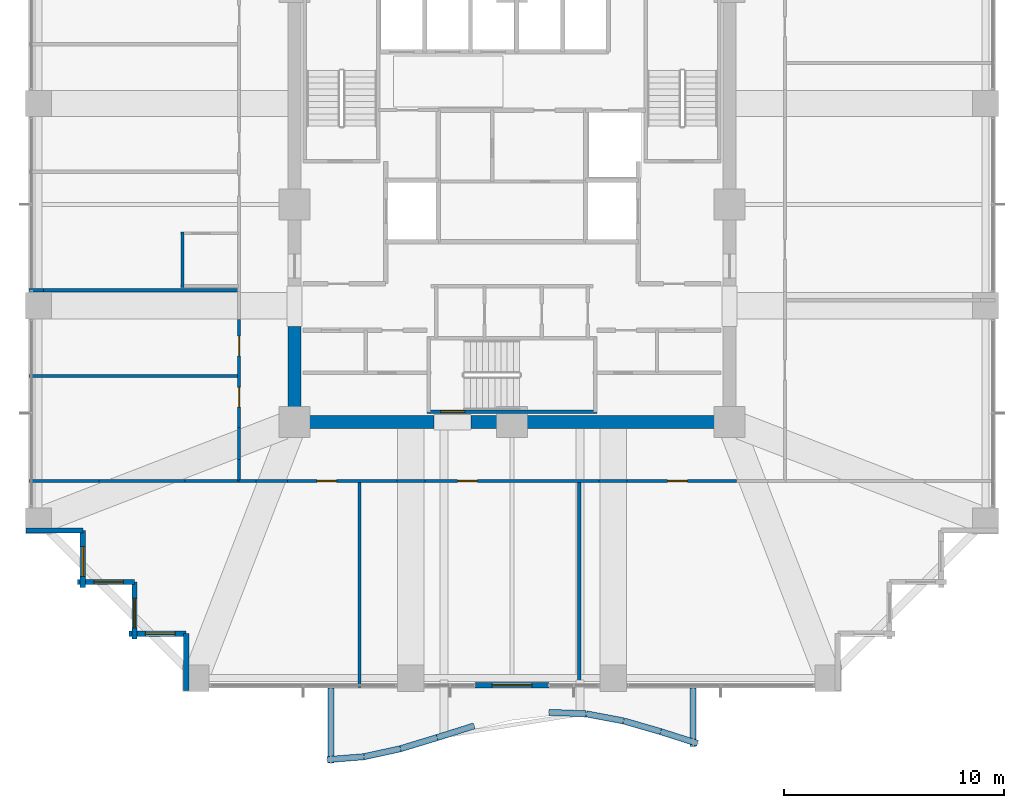
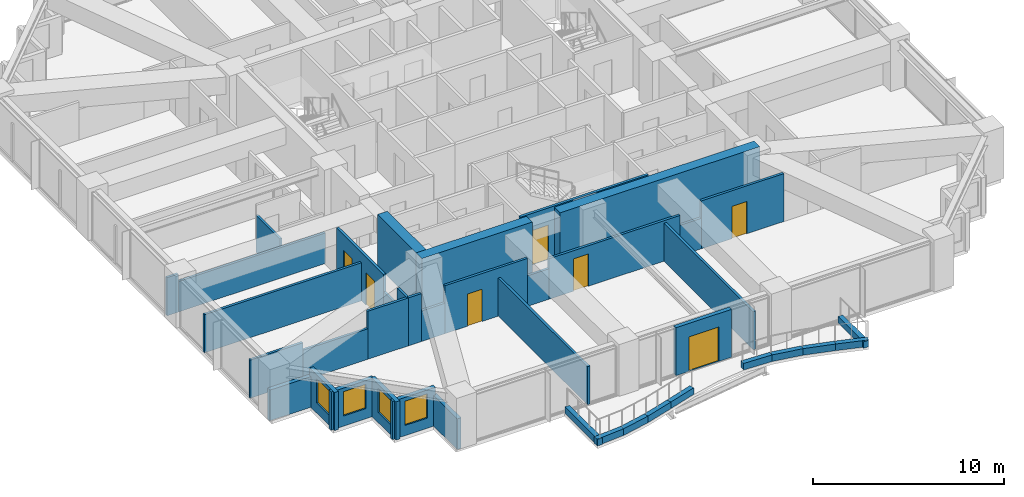
# One storey, part 32 of 37: 40 walls, 7 doors, 4 windows, 11 openings.
"""IFC4 building model written with IfcOpenShell, lengths in metres."""

import ifcopenshell
import ifcopenshell.guid

model = None  # the IFC model being written
_history = None  # IfcOwnerHistory: only IFC2X3 demands one
_inside = {}  # id of a spatial element -> (the spatial element, [elements in it])
_under = {}  # id of a project, library or spatial element -> (it, [spatial elements below it])
_declared = {}  # id of a project -> (the project, [libraries it declares])
_typed = {}  # id of a type object -> (the type object, [elements of that type])
_made_of = {}  # id of a material, layer set ... -> (it, [elements and type objects made of it])


def new_model(schema):
    """Start an empty IFC model of exactly this schema.

    Asked for "IFC4X3", IfcOpenShell would pick the latest addendum, in which some entities
    have other attributes; the version numbers below select the first issue.
    IFC2X3 requires an IfcOwnerHistory on every rooted entity: one is made here for all.
    """
    global model, _history
    if schema == "IFC4X3":
        model = ifcopenshell.file(schema_version=(4, 3, 0, 0))
    else:
        model = ifcopenshell.file(schema=schema)
    _inside.clear()
    _under.clear()
    _declared.clear()
    _typed.clear()
    _made_of.clear()
    _history = None
    if model.schema == "IFC2X3":
        org = make("IfcOrganization", Name="unknown")
        user = make(
            "IfcPersonAndOrganization",
            ThePerson=make("IfcPerson", FamilyName="unknown"),
            TheOrganization=org,
        )
        app = make(
            "IfcApplication",
            ApplicationDeveloper=org,
            Version="unknown",
            ApplicationFullName="unknown",
            ApplicationIdentifier="unknown",
        )
        _history = make(
            "IfcOwnerHistory",
            OwningUser=user,
            OwningApplication=app,
            ChangeAction="ADDED",
            CreationDate=0,
        )
    return model


def make(cls, **values):
    """One entity of the class cls with the attributes given. An attribute that is None is left unset."""
    return model.create_entity(
        cls, **{name: value for name, value in values.items() if value is not None}
    )


def rooted(cls, **values):
    """An entity with a GlobalId (a new one), such as an element, a storey or a relation."""
    return make(cls, GlobalId=ifcopenshell.guid.new(), OwnerHistory=_history, **values)


def si_unit(unit_type, name, prefix=None):
    """IfcSIUnit, for example si_unit("LENGTHUNIT", "METRE", prefix="MILLI")."""
    return make("IfcSIUnit", UnitType=unit_type, Prefix=prefix, Name=name)


def assignment(units):
    """IfcUnitAssignment: the units of a project."""
    return None if units is None else make("IfcUnitAssignment", Units=units)


def point(xyz):
    """IfcCartesianPoint."""
    return None if xyz is None else make("IfcCartesianPoint", Coordinates=xyz)


def direction(xyz):
    """IfcDirection."""
    return None if xyz is None else make("IfcDirection", DirectionRatios=xyz)


def frame(location, z_axis=None, x_axis=None):
    """IfcAxis2Placement3D, a coordinate frame: its origin and axes. An axis left out is left unset."""
    return make(
        "IfcAxis2Placement3D",
        Location=point(location),
        Axis=direction(z_axis),
        RefDirection=direction(x_axis),
    )


def frame_2d(location, x_axis=None):
    """IfcAxis2Placement2D, a coordinate frame in the plane: its origin and x axis."""
    return make(
        "IfcAxis2Placement2D", Location=point(location), RefDirection=direction(x_axis)
    )


def origin():
    """The frame at (0, 0, 0) with its axes left unset."""
    return frame((0.0, 0.0, 0.0))


def place(relative_to, where):
    """IfcLocalPlacement: puts the frame where relative to a parent placement (None: the world)."""
    return make(
        "IfcLocalPlacement", PlacementRelTo=relative_to, RelativePlacement=where
    )


def context(
    kind, dimensions, precision=None, world=None, true_north=None, identifier=None
):
    """IfcGeometricRepresentationContext, for example the 3D "Model" context."""
    return make(
        "IfcGeometricRepresentationContext",
        ContextIdentifier=identifier,
        ContextType=kind,
        CoordinateSpaceDimension=dimensions,
        Precision=precision,
        WorldCoordinateSystem=world,
        TrueNorth=true_north,
    )


def subcontext(parent, identifier, kind, view, scale=None):
    """IfcGeometricRepresentationSubContext, for example "Body" below "Model"."""
    return make(
        "IfcGeometricRepresentationSubContext",
        ContextIdentifier=identifier,
        ContextType=kind,
        ParentContext=parent,
        TargetScale=scale,
        TargetView=view,
    )


def project(units=None, contexts=None):
    """IfcProject with its units and contexts."""
    return rooted(
        "IfcProject",
        Name="project",
        RepresentationContexts=contexts,
        UnitsInContext=assignment(units),
    )


def spatial(cls, under=None, at=None, **own):
    """A site, building, storey or space (cls), placed at a placement, below another one or the project."""
    s = rooted(cls, ObjectPlacement=at, **own)
    if under is not None:
        _under.setdefault(under.id(), (under, []))[1].append(s)
    return s


def profile(cls, at=None, kind="AREA", **sizes):
    """A parametric profile (cls). Its sizes go by their IFC names, for example OverallWidth=200.0."""
    return make(cls, ProfileType=kind, Position=at, **sizes)


def rectangle(**sizes):
    """IfcRectangleProfileDef."""
    return profile("IfcRectangleProfileDef", **sizes)


def extrude(swept, where, along, depth):
    """IfcExtrudedAreaSolid: the profile swept, set in the frame where, extruded along a direction by depth."""
    return make(
        "IfcExtrudedAreaSolid",
        SweptArea=swept,
        Position=where,
        ExtrudedDirection=direction(along),
        Depth=depth,
    )


def shape(context_of_items, identifier, shape_type, items):
    """IfcShapeRepresentation: the items that make up one representation, for example the "Body"."""
    return make(
        "IfcShapeRepresentation",
        ContextOfItems=context_of_items,
        RepresentationIdentifier=identifier,
        RepresentationType=shape_type,
        Items=items,
    )


def material(Name=None, Category=None):
    """IfcMaterial."""
    return make("IfcMaterial", Name=Name, Category=Category)


def layer(
    of_material, thickness, ventilated=None, Name=None, Category=None, Priority=None
):
    """IfcMaterialLayer: one layer of a wall or slab, of a material (None: an air gap)."""
    return make(
        "IfcMaterialLayer",
        Material=of_material,
        LayerThickness=thickness,
        IsVentilated=ventilated,
        Name=Name,
        Category=Category,
        Priority=Priority,
    )


def layer_set(layers, Name=None):
    """IfcMaterialLayerSet."""
    return make("IfcMaterialLayerSet", MaterialLayers=layers, LayerSetName=Name)


def made_of(thing, what):
    """Note that an element or type object is made of a material, layer set ...; save() writes the relation."""
    if what is not None:
        _made_of.setdefault(what.id(), (what, []))[1].append(thing)
    return thing


def type_object(cls, material=None, **own):
    """A type object (cls), such as IfcWallType, which elements share."""
    return made_of(rooted(cls, **own), material)


def element(
    cls,
    number,
    at=None,
    inside=None,
    cuts=None,
    type_object=None,
    material=None,
    context=None,
    identifier="Body",
    shape_type=None,
    held_by="IfcProductDefinitionShape",
    body=None,
    shapes=None,
    **own,
):
    """One element of the class cls, such as IfcWall. Its Tag is "e" and its number.

    at: its placement. inside: the storey or other place that contains it. cuts: it is an
    opening in that element (IfcRelVoidsElement). A single representation is given by context,
    identifier, shape_type and body (its items); several are given by shapes. held_by: the class
    of the entity that holds the representations. save() writes the other relations.
    """
    e = rooted(cls, Tag="e%d" % number, ObjectPlacement=at, **own)
    if body is not None:
        shapes = [shape(context, identifier, shape_type, body)]
    if shapes is not None:
        e.Representation = make(held_by, Representations=shapes)
    if inside is not None:
        _inside.setdefault(inside.id(), (inside, []))[1].append(e)
    if cuts is not None:
        rooted(
            "IfcRelVoidsElement", RelatingBuildingElement=cuts, RelatedOpeningElement=e
        )
    if type_object is not None:
        _typed.setdefault(type_object.id(), (type_object, []))[1].append(e)
    return made_of(e, material)


def fill(opening, filler):
    """IfcRelFillsElement: the door or window that sits in an opening."""
    return rooted(
        "IfcRelFillsElement",
        RelatingOpeningElement=opening,
        RelatedBuildingElement=filler,
    )


def aggregate(whole, parts):
    """IfcRelAggregates: a whole, such as a stair, and the parts it consists of."""
    return rooted("IfcRelAggregates", RelatingObject=whole, RelatedObjects=parts)


def save(model, path):
    """Write the relations noted so far, then the file.

    IfcRelAggregates (storeys below a building ...), IfcRelContainedInSpatialStructure (elements
    in a storey), IfcRelDefinesByType, IfcRelAssociatesMaterial and IfcRelDeclares: one each for
    every whole, place, type object, material and project.
    """
    for whole, parts in _under.values():
        aggregate(whole, parts)
    for where, things in _inside.values():
        rooted(
            "IfcRelContainedInSpatialStructure",
            RelatedElements=things,
            RelatingStructure=where,
        )
    for kind, things in _typed.values():
        rooted("IfcRelDefinesByType", RelatedObjects=things, RelatingType=kind)
    for what, things in _made_of.values():
        rooted("IfcRelAssociatesMaterial", RelatedObjects=things, RelatingMaterial=what)
    for by, libraries in _declared.values():
        rooted("IfcRelDeclares", RelatingContext=by, RelatedDefinitions=libraries)
    model.write(path)


model = new_model("IFC4")

# Units and contexts
model_context = context("Model", 3, precision=1e-05, world=origin(), true_north=direction((0.0, 1.0)))
body_context = subcontext(model_context, "Body", "Model", "MODEL_VIEW")
ifc_project = project(units=[si_unit("LENGTHUNIT", "METRE"), si_unit("AREAUNIT", "SQUARE_METRE"), si_unit("VOLUMEUNIT", "CUBIC_METRE"), si_unit("PLANEANGLEUNIT", "RADIAN"), si_unit("MASSUNIT", "GRAM", prefix="KILO")], contexts=[model_context])

# Site, building, storey
site_placement = place(None, origin())
site = spatial("IfcSite", under=ifc_project, at=site_placement, CompositionType="ELEMENT")
building_placement = place(site_placement, origin())
building = spatial("IfcBuilding", under=site, at=building_placement, Name="Kolvaren Belvedere", CompositionType="ELEMENT")
storey_placement = place(building_placement, frame((0.0, 0.0, 37.0)))
storey = spatial("IfcBuildingStorey", under=building, at=storey_placement, Name="L10", CompositionType="ELEMENT", Elevation=37.0)

# Walls
ifc_material_1 = material(Name="Concrete C60/75", Category="concrete")
ifc_layer_1 = layer(ifc_material_1, 0.60009765625)
ifc_layer_set_1 = layer_set([ifc_layer_1], Name="Concrete C60/75")
wall_type_1 = type_object("IfcWallType", Name="CW-CORE-600", PredefinedType="SHEAR", material=ifc_layer_set_1)
wall_1_placement = place(storey_placement, frame((10.199951171875, -9.89990234375, 0.0), z_axis=(0.0, 0.0, 1.0), x_axis=(-1.0, 0.0, 0.0)))
element("IfcWall", 1, at=wall_1_placement, inside=storey, type_object=wall_type_1, Name="L10 South Core Shear Wall 1", PredefinedType="SHEAR", context=body_context, shape_type="SweptSolid", body=[
    extrude(rectangle(XDim=12.06005859375, YDim=0.60009765625, at=frame_2d((6.030029296875, 0.0))), origin(), (0.0, 0.0, 1.0), 3.300048828125),
])
wall_2_placement = place(storey_placement, frame((-3.5400390625, -9.89990234375, 0.0), z_axis=(0.0, 0.0, 1.0), x_axis=(-1.0, 0.0, 0.0)))
element("IfcWall", 2, at=wall_2_placement, inside=storey, type_object=wall_type_1, Name="L10 South Core Shear Wall 2", PredefinedType="SHEAR", context=body_context, shape_type="SweptSolid", body=[
    extrude(rectangle(XDim=6.659912109375, YDim=0.60009765625, at=frame_2d((3.330078125, 0.0))), origin(), (0.0, 0.0, 1.0), 3.300048828125),
])
wall_3_placement = place(storey_placement, frame((-9.89990234375, -9.60009765625, 0.0), z_axis=(0.0, 0.0, 1.0), x_axis=(0.0, 1.0, 0.0)))
element("IfcWall", 3, at=wall_3_placement, inside=storey, type_object=wall_type_1, Name="L10 West Core Shear Wall 1", PredefinedType="SHEAR", context=body_context, shape_type="SweptSolid", body=[
    extrude(rectangle(XDim=4.050048828125, YDim=0.60009765625, at=frame_2d((2.02490234375, 0.0))), origin(), (0.0, 0.0, 1.0), 3.300048828125),
])

# Wall, opening, door
ifc_material_2 = material(Name="Concrete C50/60", Category="concrete")
ifc_layer_2 = layer(ifc_material_2, 0.159912109375)
ifc_layer_set_2 = layer_set([ifc_layer_2], Name="Concrete C50/60")
wall_type_2 = type_object("IfcWallType", Name="CW-STAIR-160", PredefinedType="SHEAR", material=ifc_layer_set_2)
wall_4_placement = place(storey_placement, frame((3.860107421875, -9.429931640625, 0.0), z_axis=(0.0, 0.0, 1.0), x_axis=(-1.0, 0.0, 0.0)))
wall_4 = element("IfcWall", 4, at=wall_4_placement, inside=storey, type_object=wall_type_2, Name="L10 Stair ST-3 South Shear Wall", PredefinedType="SHEAR", context=body_context, shape_type="SweptSolid", body=[
    extrude(rectangle(XDim=7.72021484375, YDim=0.159912109375, at=frame_2d((3.860107421875, 0.0))), origin(), (0.0, 0.0, 1.0), 3.300048828125),
])
opening_1_placement = place(wall_4_placement, frame((6.010009765625, 0.0, 0.0)))
opening_1 = element("IfcOpeningElement", 5, at=opening_1_placement, cuts=wall_4, Name="Opening D-FD90", PredefinedType="OPENING", context=body_context, shape_type="SweptSolid", body=[
    extrude(rectangle(XDim=1.10009765625, YDim=2.199951171875, at=frame_2d((0.550048828125, 1.10009765625))), frame((0.0, 0.08984375, 0.0), z_axis=(0.0, -1.0, 0.0), x_axis=(1.0, 0.0, 0.0)), (0.0, 0.0, 1.0), 0.179931640625),
])
ifc_material_3 = material(Name="Painted hollow stainless steel", Category="steel")
door_type_1 = type_object("IfcDoorType", Name="DR-FD90-1100", OperationType="NOTDEFINED", PredefinedType="DOOR", material=ifc_material_3)
door_1_placement = place(opening_1_placement, origin())
door_1 = element("IfcDoor", 6, at=door_1_placement, inside=storey, type_object=door_type_1, Name="L10 Stair ST-3 Exit Door", OperationType="SINGLE_SWING_RIGHT", OverallHeight=2.199951171875, OverallWidth=1.10009765625, PredefinedType="DOOR", context=body_context, shape_type="SweptSolid", body=[
    extrude(rectangle(XDim=1.10009765625, YDim=2.199951171875, at=frame_2d((0.550048828125, 1.10009765625))), frame((0.0, 0.02490234375, 0.0), z_axis=(0.0, -1.0, 0.0), x_axis=(1.0, 0.0, 0.0)), (0.0, 0.0, 1.0), 0.050048828125),
])
fill(opening_1, door_1)

# Walls
ifc_material_4 = material(Name="Gypsum fire-rated partition assembly", Category="gypsum")
ifc_layer_3 = layer(ifc_material_4, 0.14990234375)
ifc_layer_set_3 = layer_set([ifc_layer_3], Name="Gypsum fire-rated partition assembly")
wall_type_3 = type_object("IfcWallType", Name="WL-CORR-150", PredefinedType="PARTITIONING", material=ifc_layer_set_3)
wall_5_placement = place(storey_placement, frame((-12.419921875, -12.580078125, 0.0), z_axis=(0.0, 0.0, 1.0), x_axis=(1.0, 0.0, 0.0)))
element("IfcWall", 7, at=wall_5_placement, inside=storey, type_object=wall_type_3, Name="L10 South Corridor Wall", PredefinedType="PARTITIONING", context=body_context, shape_type="SweptSolid", body=[
    extrude(rectangle(XDim=0.76513671875, YDim=0.14990234375, at=frame_2d((0.382568359375, 0.0))), origin(), (0.0, 0.0, 1.0), 3.06005859375),
])
wall_6_placement = place(storey_placement, frame((-11.65478515625, -12.580078125, 0.0), z_axis=(0.0, 0.0, 1.0), x_axis=(1.0, 0.0, 0.0)))
element("IfcWall", 8, at=wall_6_placement, inside=storey, type_object=wall_type_3, Name="L10 South Corridor Wall", PredefinedType="PARTITIONING", context=body_context, shape_type="SweptSolid", body=[
    extrude(rectangle(XDim=1.439208984375, YDim=0.14990234375, at=frame_2d((0.7197265625, 0.0))), origin(), (0.0, 0.0, 1.0), 1.945068359375),
])

# Wall, opening, door
wall_7_placement = place(storey_placement, frame((-10.215576171875, -12.580078125, 0.0), z_axis=(0.0, 0.0, 1.0), x_axis=(1.0, 0.0, 0.0)))
wall_7 = element("IfcWall", 9, at=wall_7_placement, inside=storey, type_object=wall_type_3, Name="L10 South Corridor Wall", PredefinedType="PARTITIONING", context=body_context, shape_type="SweptSolid", body=[
    extrude(rectangle(XDim=4.9736328125, YDim=0.14990234375, at=frame_2d((2.48681640625, 0.0))), origin(), (0.0, 0.0, 1.0), 3.06005859375),
])
opening_2_placement = place(wall_7_placement, frame((1.33740234375, 0.0, 0.0)))
opening_2 = element("IfcOpeningElement", 10, at=opening_2_placement, cuts=wall_7, Name="Opening D-INT90", PredefinedType="OPENING", context=body_context, shape_type="SweptSolid", body=[
    extrude(rectangle(XDim=0.89990234375, YDim=2.06005859375, at=frame_2d((0.449951171875, 1.030029296875))), frame((0.0, 0.0849609375, 0.0), z_axis=(0.0, -1.0, 0.0), x_axis=(1.0, 0.0, 0.0)), (0.0, 0.0, 1.0), 0.169921875),
])
ifc_material_5 = material(Name="Stained Pacific white oak", Category="timber")
door_type_2 = type_object("IfcDoorType", Name="DR-INT-900", OperationType="NOTDEFINED", PredefinedType="DOOR", material=ifc_material_5)
door_2_placement = place(opening_2_placement, origin())
door_2 = element("IfcDoor", 11, at=door_2_placement, inside=storey, type_object=door_type_2, Name="L10 Lounge 1001 Door", OperationType="SINGLE_SWING_RIGHT", OverallHeight=2.06005859375, OverallWidth=0.89990234375, PredefinedType="DOOR", context=body_context, shape_type="SweptSolid", body=[
    extrude(rectangle(XDim=0.89990234375, YDim=2.06005859375, at=frame_2d((0.449951171875, 1.030029296875))), frame((0.0, 0.02490234375, 0.0), z_axis=(0.0, -1.0, 0.0), x_axis=(1.0, 0.0, 0.0)), (0.0, 0.0, 1.0), 0.050048828125),
])
fill(opening_2, door_2)

# Wall
wall_8_placement = place(storey_placement, frame((-5.241943359375, -12.580078125, 0.0), z_axis=(0.0, 0.0, 1.0), x_axis=(1.0, 0.0, 0.0)))
element("IfcWall", 12, at=wall_8_placement, inside=storey, type_object=wall_type_3, Name="L10 South Corridor Wall", PredefinedType="PARTITIONING", context=body_context, shape_type="SweptSolid", body=[
    extrude(rectangle(XDim=1.283935546875, YDim=0.14990234375, at=frame_2d((0.64208984375, 0.0))), origin(), (0.0, 0.0, 1.0), 1.945068359375),
])

# Wall, opening, door
wall_9_placement = place(storey_placement, frame((-3.9580078125, -12.580078125, 0.0), z_axis=(0.0, 0.0, 1.0), x_axis=(1.0, 0.0, 0.0)))
wall_9 = element("IfcWall", 13, at=wall_9_placement, inside=storey, type_object=wall_type_3, Name="L10 South Corridor Wall", PredefinedType="PARTITIONING", context=body_context, shape_type="SweptSolid", body=[
    extrude(rectangle(XDim=7.916015625, YDim=0.14990234375, at=frame_2d((3.9580078125, 0.0))), origin(), (0.0, 0.0, 1.0), 2.5849609375),
])
opening_3_placement = place(wall_9_placement, frame((1.47802734375, 0.0, 0.0)))
opening_3 = element("IfcOpeningElement", 14, at=opening_3_placement, cuts=wall_9, Name="Opening D-INT90", PredefinedType="OPENING", context=body_context, shape_type="SweptSolid", body=[
    extrude(rectangle(XDim=0.89990234375, YDim=2.06005859375, at=frame_2d((0.449951171875, 1.030029296875))), frame((0.0, 0.0849609375, 0.0), z_axis=(0.0, -1.0, 0.0), x_axis=(1.0, 0.0, 0.0)), (0.0, 0.0, 1.0), 0.169921875),
])
door_3_placement = place(opening_3_placement, origin())
door_3 = element("IfcDoor", 15, at=door_3_placement, inside=storey, type_object=door_type_2, Name="L10 Lounge 1002 Door", OperationType="SINGLE_SWING_LEFT", OverallHeight=2.06005859375, OverallWidth=0.89990234375, PredefinedType="DOOR", context=body_context, shape_type="SweptSolid", body=[
    extrude(rectangle(XDim=0.89990234375, YDim=2.06005859375, at=frame_2d((0.449951171875, 1.030029296875))), frame((0.0, 0.02490234375, 0.0), z_axis=(0.0, -1.0, 0.0), x_axis=(1.0, 0.0, 0.0)), (0.0, 0.0, 1.0), 0.050048828125),
])
fill(opening_3, door_3)

# Wall
wall_10_placement = place(storey_placement, frame((3.9580078125, -12.580078125, 0.0), z_axis=(0.0, 0.0, 1.0), x_axis=(1.0, 0.0, 0.0)))
element("IfcWall", 16, at=wall_10_placement, inside=storey, type_object=wall_type_3, Name="L10 South Corridor Wall", PredefinedType="PARTITIONING", context=body_context, shape_type="SweptSolid", body=[
    extrude(rectangle(XDim=1.283935546875, YDim=0.14990234375, at=frame_2d((0.64208984375, 0.0))), origin(), (0.0, 0.0, 1.0), 1.945068359375),
])

# Wall, opening, door
wall_11_placement = place(storey_placement, frame((5.241943359375, -12.580078125, 0.0), z_axis=(0.0, 0.0, 1.0), x_axis=(1.0, 0.0, 0.0)))
wall_11 = element("IfcWall", 17, at=wall_11_placement, inside=storey, type_object=wall_type_3, Name="L10 South Corridor Wall", PredefinedType="PARTITIONING", context=body_context, shape_type="SweptSolid", body=[
    extrude(rectangle(XDim=4.9736328125, YDim=0.14990234375, at=frame_2d((2.48681640625, 0.0))), origin(), (0.0, 0.0, 1.0), 3.06005859375),
])
opening_4_placement = place(wall_11_placement, frame((1.843017578125, 0.0, 0.0)))
opening_4 = element("IfcOpeningElement", 18, at=opening_4_placement, cuts=wall_11, Name="Opening D-INT90", PredefinedType="OPENING", context=body_context, shape_type="SweptSolid", body=[
    extrude(rectangle(XDim=0.89990234375, YDim=2.06005859375, at=frame_2d((0.449951171875, 1.030029296875))), frame((0.0, 0.0849609375, 0.0), z_axis=(0.0, -1.0, 0.0), x_axis=(1.0, 0.0, 0.0)), (0.0, 0.0, 1.0), 0.169921875),
])
door_4_placement = place(opening_4_placement, origin())
door_4 = element("IfcDoor", 19, at=door_4_placement, inside=storey, type_object=door_type_2, Name="L10 Lounge 1003 Door", OperationType="SINGLE_SWING_RIGHT", OverallHeight=2.06005859375, OverallWidth=0.89990234375, PredefinedType="DOOR", context=body_context, shape_type="SweptSolid", body=[
    extrude(rectangle(XDim=0.89990234375, YDim=2.06005859375, at=frame_2d((0.449951171875, 1.030029296875))), frame((0.0, 0.02490234375, 0.0), z_axis=(0.0, -1.0, 0.0), x_axis=(1.0, 0.0, 0.0)), (0.0, 0.0, 1.0), 0.050048828125),
])
fill(opening_4, door_4)

# Walls
wall_12_placement = place(storey_placement, frame((-12.419921875, -12.580078125, 0.0), z_axis=(0.0, 0.0, 1.0), x_axis=(0.0, 1.0, 0.0)))
element("IfcWall", 20, at=wall_12_placement, inside=storey, type_object=wall_type_3, Name="L10 West Corridor Wall", PredefinedType="PARTITIONING", context=body_context, shape_type="SweptSolid", body=[
    extrude(rectangle(XDim=0.987060546875, YDim=0.14990234375, at=frame_2d((0.49365234375, 0.0))), origin(), (0.0, 0.0, 1.0), 3.06005859375),
])
wall_13_placement = place(storey_placement, frame((-12.419921875, -11.593017578125, 0.0), z_axis=(0.0, 0.0, 1.0), x_axis=(0.0, 1.0, 0.0)))
element("IfcWall", 21, at=wall_13_placement, inside=storey, type_object=wall_type_3, Name="L10 West Corridor Wall", PredefinedType="PARTITIONING", context=body_context, shape_type="SweptSolid", body=[
    extrude(rectangle(XDim=1.439208984375, YDim=0.14990234375, at=frame_2d((0.7197265625, 0.0))), origin(), (0.0, 0.0, 1.0), 1.945068359375),
])

# Wall, openings, doors
wall_14_placement = place(storey_placement, frame((-12.419921875, -10.15380859375, 0.0), z_axis=(0.0, 0.0, 1.0), x_axis=(0.0, 1.0, 0.0)))
wall_14 = element("IfcWall", 22, at=wall_14_placement, inside=storey, type_object=wall_type_3, Name="L10 West Corridor Wall", PredefinedType="PARTITIONING", context=body_context, shape_type="SweptSolid", body=[
    extrude(rectangle(XDim=4.911865234375, YDim=0.14990234375, at=frame_2d((2.4560546875, 0.0))), origin(), (0.0, 0.0, 1.0), 3.06005859375),
])
opening_5_placement = place(wall_14_placement, frame((0.936767578125, 0.0, 0.0)))
opening_5 = element("IfcOpeningElement", 23, at=opening_5_placement, cuts=wall_14, Name="Opening D-INT90", PredefinedType="OPENING", context=body_context, shape_type="SweptSolid", body=[
    extrude(rectangle(XDim=0.89990234375, YDim=2.06005859375, at=frame_2d((0.449951171875, 1.030029296875))), frame((0.0, 0.0849609375, 0.0), z_axis=(0.0, -1.0, 0.0), x_axis=(1.0, 0.0, 0.0)), (0.0, 0.0, 1.0), 0.169921875),
])
opening_6_placement = place(wall_14_placement, frame((3.271728515625, 0.0, 0.0)))
opening_6 = element("IfcOpeningElement", 24, at=opening_6_placement, cuts=wall_14, Name="Opening D-INT90", PredefinedType="OPENING", context=body_context, shape_type="SweptSolid", body=[
    extrude(rectangle(XDim=0.89990234375, YDim=2.06005859375, at=frame_2d((0.449951171875, 1.030029296875))), frame((0.0, 0.0849609375, 0.0), z_axis=(0.0, -1.0, 0.0), x_axis=(1.0, 0.0, 0.0)), (0.0, 0.0, 1.0), 0.169921875),
])
door_5_placement = place(opening_5_placement, origin())
door_5 = element("IfcDoor", 25, at=door_5_placement, inside=storey, type_object=door_type_2, Name="L10 Botanical Reading Salon 1007 Door", OperationType="SINGLE_SWING_RIGHT", OverallHeight=2.06005859375, OverallWidth=0.89990234375, PredefinedType="DOOR", context=body_context, shape_type="SweptSolid", body=[
    extrude(rectangle(XDim=0.89990234375, YDim=2.06005859375, at=frame_2d((0.449951171875, 1.030029296875))), frame((0.0, 0.02490234375, 0.0), z_axis=(0.0, -1.0, 0.0), x_axis=(1.0, 0.0, 0.0)), (0.0, 0.0, 1.0), 0.050048828125),
])
fill(opening_5, door_5)
door_6_placement = place(opening_6_placement, origin())
door_6 = element("IfcDoor", 26, at=door_6_placement, inside=storey, type_object=door_type_2, Name="L10 Lounge 1008 Door", OperationType="SINGLE_SWING_LEFT", OverallHeight=2.06005859375, OverallWidth=0.89990234375, PredefinedType="DOOR", context=body_context, shape_type="SweptSolid", body=[
    extrude(rectangle(XDim=0.89990234375, YDim=2.06005859375, at=frame_2d((0.449951171875, 1.030029296875))), frame((0.0, 0.02490234375, 0.0), z_axis=(0.0, -1.0, 0.0), x_axis=(1.0, 0.0, 0.0)), (0.0, 0.0, 1.0), 0.050048828125),
])
fill(opening_6, door_6)

# Wall, opening, door
ifc_material_6 = material(Name="Insulated pale-metal facade wall assembly", Category="aluminium")
ifc_layer_4 = layer(ifc_material_6, 0.239990234375)
ifc_layer_set_4 = layer_set([ifc_layer_4], Name="Insulated pale-metal facade wall assembly")
wall_type_4 = type_object("IfcWallType", Name="WL-EXT-240", PredefinedType="STANDARD", material=ifc_layer_set_4)
wall_15_placement = place(storey_placement, frame((1.679931640625, -21.8798828125, 0.0), z_axis=(0.0, 0.0, 1.0), x_axis=(-1.0, 0.0, 0.0)))
wall_15 = element("IfcWall", 27, at=wall_15_placement, inside=storey, type_object=wall_type_4, Name="L10 South Terrace Portal Wall", PredefinedType="STANDARD", context=body_context, shape_type="SweptSolid", body=[
    extrude(rectangle(XDim=3.35986328125, YDim=0.239990234375, at=frame_2d((1.679931640625, 0.0))), origin(), (0.0, 0.0, 1.0), 3.06005859375),
])
opening_7_placement = place(wall_15_placement, frame((0.780029296875, 0.0, 0.0)))
opening_7 = element("IfcOpeningElement", 28, at=opening_7_placement, cuts=wall_15, Name="Opening DB-1800", PredefinedType="OPENING", context=body_context, shape_type="SweptSolid", body=[
    extrude(rectangle(XDim=1.800048828125, YDim=2.199951171875, at=frame_2d((0.89990234375, 1.10009765625))), frame((0.0, 0.1298828125, 0.0), z_axis=(0.0, -1.0, 0.0), x_axis=(1.0, 0.0, 0.0)), (0.0, 0.0, 1.0), 0.260009765625),
])
ifc_material_7 = material(Name="Thermally broken pale-metal aluminium & low-iron glass", Category="aluminium")
door_type_3 = type_object("IfcDoorType", Name="DR-BAL-1800", OperationType="DOUBLE_DOOR_SLIDING", PredefinedType="DOOR", material=ifc_material_7)
door_7_placement = place(opening_7_placement, origin())
door_7 = element("IfcDoor", 29, at=door_7_placement, inside=storey, type_object=door_type_3, Name="L10 South Planted Terrace Sliding Door", OperationType="DOUBLE_DOOR_SLIDING", OverallHeight=2.199951171875, OverallWidth=1.800048828125, PredefinedType="DOOR", context=body_context, shape_type="SweptSolid", body=[
    extrude(rectangle(XDim=1.800048828125, YDim=2.199951171875, at=frame_2d((0.89990234375, 1.10009765625))), frame((0.0, 0.02490234375, 0.0), z_axis=(0.0, -1.0, 0.0), x_axis=(1.0, 0.0, 0.0)), (0.0, 0.0, 1.0), 0.050048828125),
])
fill(opening_7, door_7)

# Wall
wall_16_placement = place(storey_placement, frame((-19.530029296875, -14.830078125, 0.0), z_axis=(0.0, 0.0, 1.0), x_axis=(-1.0, 0.0, 0.0)))
element("IfcWall", 30, at=wall_16_placement, inside=storey, type_object=wall_type_4, Name="L10 Serrated Corner Facade Wall 23", PredefinedType="STANDARD", context=body_context, shape_type="SweptSolid", body=[
    extrude(rectangle(XDim=2.590087890625, YDim=0.239990234375, at=frame_2d((1.294921875, 0.0))), origin(), (0.0, 0.0, 1.0), 1.955078125),
])

# Wall, opening, window
wall_17_placement = place(storey_placement, frame((-19.530029296875, -17.419921875, 0.0), z_axis=(0.0, 0.0, 1.0), x_axis=(0.0, 1.0, 0.0)))
wall_17 = element("IfcWall", 31, at=wall_17_placement, inside=storey, type_object=wall_type_4, Name="L10 Serrated Corner Facade Wall 24", PredefinedType="STANDARD", context=body_context, shape_type="SweptSolid", body=[
    extrude(rectangle(XDim=2.58984375, YDim=0.239990234375, at=frame_2d((1.294921875, 0.0))), origin(), (0.0, 0.0, 1.0), 2.43896484375),
])
opening_8_placement = place(wall_17_placement, frame((0.5, 0.0, 0.64990234375)))
opening_8 = element("IfcOpeningElement", 32, at=opening_8_placement, cuts=wall_17, Name="Opening W-1350", PredefinedType="OPENING", context=body_context, shape_type="SweptSolid", body=[
    extrude(rectangle(XDim=1.35009765625, YDim=1.550048828125, at=frame_2d((0.675048828125, 0.77490234375))), frame((0.0, 0.1298828125, 0.0), z_axis=(0.0, -1.0, 0.0), x_axis=(1.0, 0.0, 0.0)), (0.0, 0.0, 1.0), 0.260009765625),
])
ifc_material_8 = material(Name="Low-iron triple insulated glass", Category="glass")
window_type = type_object("IfcWindowType", Name="WN-CORN-1350", PartitioningType="SINGLE_PANEL", PredefinedType="WINDOW", material=ifc_material_8)
window_1_placement = place(opening_8_placement, origin())
window_1 = element("IfcWindow", 33, at=window_1_placement, inside=storey, type_object=window_type, Name="L10 Serrated Corner Vision Window 24", OverallHeight=1.550048828125, OverallWidth=1.35009765625, PartitioningType="SINGLE_PANEL", PredefinedType="WINDOW", context=body_context, shape_type="SweptSolid", body=[
    extrude(rectangle(XDim=1.35009765625, YDim=1.550048828125, at=frame_2d((0.675048828125, 0.77490234375))), frame((0.0, 0.030029296875, 0.0), z_axis=(0.0, -1.0, 0.0), x_axis=(1.0, 0.0, 0.0)), (0.0, 0.0, 1.0), 0.06005859375),
])
fill(opening_8, window_1)

wall_18_placement = place(storey_placement, frame((-17.179931640625, -17.179931640625, 0.0), z_axis=(0.0, 0.0, 1.0), x_axis=(-1.0, 0.0, 0.0)))
wall_18 = element("IfcWall", 34, at=wall_18_placement, inside=storey, type_object=wall_type_4, Name="L10 Serrated Corner Facade Wall 25", PredefinedType="STANDARD", context=body_context, shape_type="SweptSolid", body=[
    extrude(rectangle(XDim=2.590087890625, YDim=0.239990234375, at=frame_2d((1.294921875, 0.0))), origin(), (0.0, 0.0, 1.0), 2.43896484375),
])
opening_9_placement = place(wall_18_placement, frame((0.5, 0.0, 0.64990234375)))
opening_9 = element("IfcOpeningElement", 35, at=opening_9_placement, cuts=wall_18, Name="Opening W-1350", PredefinedType="OPENING", context=body_context, shape_type="SweptSolid", body=[
    extrude(rectangle(XDim=1.35009765625, YDim=1.550048828125, at=frame_2d((0.675048828125, 0.77490234375))), frame((0.0, 0.1298828125, 0.0), z_axis=(0.0, -1.0, 0.0), x_axis=(1.0, 0.0, 0.0)), (0.0, 0.0, 1.0), 0.260009765625),
])
window_2_placement = place(opening_9_placement, origin())
window_2 = element("IfcWindow", 36, at=window_2_placement, inside=storey, type_object=window_type, Name="L10 Serrated Corner Vision Window 25", OverallHeight=1.550048828125, OverallWidth=1.35009765625, PartitioningType="SINGLE_PANEL", PredefinedType="WINDOW", context=body_context, shape_type="SweptSolid", body=[
    extrude(rectangle(XDim=1.35009765625, YDim=1.550048828125, at=frame_2d((0.675048828125, 0.77490234375))), frame((0.0, 0.030029296875, 0.0), z_axis=(0.0, -1.0, 0.0), x_axis=(1.0, 0.0, 0.0)), (0.0, 0.0, 1.0), 0.06005859375),
])
fill(opening_9, window_2)

wall_19_placement = place(storey_placement, frame((-17.179931640625, -19.77001953125, 0.0), z_axis=(0.0, 0.0, 1.0), x_axis=(0.0, 1.0, 0.0)))
wall_19 = element("IfcWall", 37, at=wall_19_placement, inside=storey, type_object=wall_type_4, Name="L10 Serrated Corner Facade Wall 26", PredefinedType="STANDARD", context=body_context, shape_type="SweptSolid", body=[
    extrude(rectangle(XDim=2.590087890625, YDim=0.239990234375, at=frame_2d((1.294921875, 0.0))), origin(), (0.0, 0.0, 1.0), 2.43896484375),
])
opening_10_placement = place(wall_19_placement, frame((0.5, 0.0, 0.64990234375)))
opening_10 = element("IfcOpeningElement", 38, at=opening_10_placement, cuts=wall_19, Name="Opening W-1350", PredefinedType="OPENING", context=body_context, shape_type="SweptSolid", body=[
    extrude(rectangle(XDim=1.35009765625, YDim=1.550048828125, at=frame_2d((0.675048828125, 0.77490234375))), frame((0.0, 0.1298828125, 0.0), z_axis=(0.0, -1.0, 0.0), x_axis=(1.0, 0.0, 0.0)), (0.0, 0.0, 1.0), 0.260009765625),
])
window_3_placement = place(opening_10_placement, origin())
window_3 = element("IfcWindow", 39, at=window_3_placement, inside=storey, type_object=window_type, Name="L10 Serrated Corner Vision Window 26", OverallHeight=1.550048828125, OverallWidth=1.35009765625, PartitioningType="SINGLE_PANEL", PredefinedType="WINDOW", context=body_context, shape_type="SweptSolid", body=[
    extrude(rectangle(XDim=1.35009765625, YDim=1.550048828125, at=frame_2d((0.675048828125, 0.77490234375))), frame((0.0, 0.030029296875, 0.0), z_axis=(0.0, -1.0, 0.0), x_axis=(1.0, 0.0, 0.0)), (0.0, 0.0, 1.0), 0.06005859375),
])
fill(opening_10, window_3)

wall_20_placement = place(storey_placement, frame((-14.830078125, -19.530029296875, 0.0), z_axis=(0.0, 0.0, 1.0), x_axis=(-1.0, 0.0, 0.0)))
wall_20 = element("IfcWall", 40, at=wall_20_placement, inside=storey, type_object=wall_type_4, Name="L10 Serrated Corner Facade Wall 27", PredefinedType="STANDARD", context=body_context, shape_type="SweptSolid", body=[
    extrude(rectangle(XDim=2.58984375, YDim=0.239990234375, at=frame_2d((1.294921875, 0.0))), origin(), (0.0, 0.0, 1.0), 2.43896484375),
])
opening_11_placement = place(wall_20_placement, frame((0.5, 0.0, 0.64990234375)))
opening_11 = element("IfcOpeningElement", 41, at=opening_11_placement, cuts=wall_20, Name="Opening W-1350", PredefinedType="OPENING", context=body_context, shape_type="SweptSolid", body=[
    extrude(rectangle(XDim=1.35009765625, YDim=1.550048828125, at=frame_2d((0.675048828125, 0.77490234375))), frame((0.0, 0.1298828125, 0.0), z_axis=(0.0, -1.0, 0.0), x_axis=(1.0, 0.0, 0.0)), (0.0, 0.0, 1.0), 0.260009765625),
])
window_4_placement = place(opening_11_placement, origin())
window_4 = element("IfcWindow", 42, at=window_4_placement, inside=storey, type_object=window_type, Name="L10 Serrated Corner Vision Window 27", OverallHeight=1.550048828125, OverallWidth=1.35009765625, PartitioningType="SINGLE_PANEL", PredefinedType="WINDOW", context=body_context, shape_type="SweptSolid", body=[
    extrude(rectangle(XDim=1.35009765625, YDim=1.550048828125, at=frame_2d((0.675048828125, 0.77490234375))), frame((0.0, 0.030029296875, 0.0), z_axis=(0.0, -1.0, 0.0), x_axis=(1.0, 0.0, 0.0)), (0.0, 0.0, 1.0), 0.06005859375),
])
fill(opening_11, window_4)

# Walls
wall_21_placement = place(storey_placement, frame((-14.830078125, -22.1201171875, 0.0), z_axis=(0.0, 0.0, 1.0), x_axis=(0.0, 1.0, 0.0)))
element("IfcWall", 43, at=wall_21_placement, inside=storey, type_object=wall_type_4, Name="L10 Serrated Corner Facade Wall 28", PredefinedType="STANDARD", context=body_context, shape_type="SweptSolid", body=[
    extrude(rectangle(XDim=2.590087890625, YDim=0.239990234375, at=frame_2d((1.294921875, 0.0))), origin(), (0.0, 0.0, 1.0), 1.955078125),
])
ifc_material_9 = material(Name="Gypsum acoustic partition assembly", Category="gypsum")
ifc_layer_5 = layer(ifc_material_9, 0.14990234375)
ifc_layer_set_5 = layer_set([ifc_layer_5], Name="Gypsum acoustic partition assembly")
wall_type_5 = type_object("IfcWallType", Name="WL-PART-150", PredefinedType="PARTITIONING", material=ifc_layer_set_5)
wall_22_placement = place(storey_placement, frame((-21.97998046875, -12.580078125, 0.0), z_axis=(0.0, 0.0, 1.0), x_axis=(1.0, 0.0, 0.0)))
element("IfcWall", 44, at=wall_22_placement, inside=storey, type_object=wall_type_5, Name="L10 Wing Divider PW-L10-QSW", PredefinedType="PARTITIONING", context=body_context, shape_type="SweptSolid", body=[
    extrude(rectangle(XDim=3.18798828125, YDim=0.14990234375, at=frame_2d((1.593994140625, 0.0))), origin(), (0.0, 0.0, 1.0), 2.428955078125),
])
wall_23_placement = place(storey_placement, frame((-18.7919921875, -12.580078125, 0.0), z_axis=(0.0, 0.0, 1.0), x_axis=(1.0, 0.0, 0.0)))
element("IfcWall", 45, at=wall_23_placement, inside=storey, type_object=wall_type_5, Name="L10 Wing Divider PW-L10-QSW", PredefinedType="PARTITIONING", context=body_context, shape_type="SweptSolid", body=[
    extrude(rectangle(XDim=3.907470703125, YDim=0.14990234375, at=frame_2d((1.95361328125, 0.0))), origin(), (0.0, 0.0, 1.0), 1.945068359375),
])
wall_24_placement = place(storey_placement, frame((-14.884521484375, -12.580078125, 0.0), z_axis=(0.0, 0.0, 1.0), x_axis=(1.0, 0.0, 0.0)))
element("IfcWall", 46, at=wall_24_placement, inside=storey, type_object=wall_type_5, Name="L10 Wing Divider PW-L10-QSW", PredefinedType="PARTITIONING", context=body_context, shape_type="SweptSolid", body=[
    extrude(rectangle(XDim=2.464599609375, YDim=0.14990234375, at=frame_2d((1.232421875, 0.0))), origin(), (0.0, 0.0, 1.0), 3.06005859375),
])
for number, where, z_axis, x_axis, name in (
    (47, (-6.93994140625, -21.97998046875, 0.0), (0.0, 0.0, 1.0), (0.0, 1.0, 0.0), "L10 South Suite Demising Wall 1"),
    (48, (3.06005859375, -21.97998046875, 0.0), (0.0, 0.0, 1.0), (0.0, 1.0, 0.0), "L10 South Suite Demising Wall 2"),
):
    element("IfcWall", number, at=place(storey_placement, frame(where, z_axis=z_axis, x_axis=x_axis)), inside=storey, type_object=wall_type_5, Name=name, PredefinedType="PARTITIONING", context=body_context, shape_type="SweptSolid", body=[
        extrude(rectangle(XDim=9.39990234375, YDim=0.14990234375, at=frame_2d((4.699951171875, 0.0))), origin(), (0.0, 0.0, 1.0), 2.428955078125),
    ])
wall_25_placement = place(storey_placement, frame((-21.97998046875, -7.803955078125, 0.0), z_axis=(0.0, 0.0, 1.0), x_axis=(1.0, 0.0, 0.0)))
element("IfcWall", 49, at=wall_25_placement, inside=storey, type_object=wall_type_5, Name="L10 West Suite Demising Wall 1", PredefinedType="PARTITIONING", context=body_context, shape_type="SweptSolid", body=[
    extrude(rectangle(XDim=9.56005859375, YDim=0.14990234375, at=frame_2d((4.780029296875, 0.0))), origin(), (0.0, 0.0, 1.0), 2.428955078125),
])
wall_26_placement = place(storey_placement, frame((-21.97998046875, -3.904052734375, 0.0), z_axis=(0.0, 0.0, 1.0), x_axis=(1.0, 0.0, 0.0)))
element("IfcWall", 50, at=wall_26_placement, inside=storey, type_object=wall_type_5, Name="L10 West Suite Demising Wall 2", PredefinedType="PARTITIONING", context=body_context, shape_type="SweptSolid", body=[
    extrude(rectangle(XDim=0.669921875, YDim=0.14990234375, at=frame_2d((0.3349609375, 0.0))), origin(), (0.0, 0.0, 1.0), 2.428955078125),
])
wall_27_placement = place(storey_placement, frame((-21.31005859375, -3.904052734375, 0.0), z_axis=(0.0, 0.0, 1.0), x_axis=(1.0, 0.0, 0.0)))
element("IfcWall", 51, at=wall_27_placement, inside=storey, type_object=wall_type_5, Name="L10 West Suite Demising Wall 2", PredefinedType="PARTITIONING", context=body_context, shape_type="SweptSolid", body=[
    extrude(rectangle(XDim=8.89013671875, YDim=0.14990234375, at=frame_2d((4.445068359375, 0.0))), origin(), (0.0, 0.0, 1.0), 1.945068359375),
])
ifc_material_10 = material(Name="Precast concrete C40/50", Category="concrete")
ifc_layer_6 = layer(ifc_material_10, 0.300048828125)
ifc_layer_set_6 = layer_set([ifc_layer_6], Name="Precast concrete C40/50")
wall_type_6 = type_object("IfcWallType", Name="WL-PLANTER-300", PredefinedType="PARAPET", material=ifc_layer_set_6)
wall_28_placement = place(storey_placement, frame((-8.41259765625, -25.260498046875, -0.06005859375), z_axis=(0.0, 0.0, 1.0), x_axis=(0.99685522818, 0.079244268248, 0.0)))
element("IfcWall", 52, at=wall_28_placement, inside=storey, type_object=wall_type_6, Name="L10 Precast Structural Planter Wall BAL-S-1", PredefinedType="PARAPET", context=body_context, shape_type="SweptSolid", body=[
    extrude(rectangle(XDim=1.685302734375, YDim=0.280029296875, at=frame_2d((0.8427734375, 0.0))), origin(), (0.0, 0.0, 1.0), 0.420166015625),
])
wall_29_placement = place(storey_placement, frame((-6.754150390625, -25.130126953125, -0.06005859375), z_axis=(0.0, 0.0, 1.0), x_axis=(0.976876857632, 0.213802724545, 0.0)))
element("IfcWall", 53, at=wall_29_placement, inside=storey, type_object=wall_type_6, Name="L10 Precast Structural Planter Wall BAL-S-2", PredefinedType="PARAPET", context=body_context, shape_type="SweptSolid", body=[
    extrude(rectangle(XDim=1.7197265625, YDim=0.280029296875, at=frame_2d((0.85986328125, 0.0))), origin(), (0.0, 0.0, 1.0), 0.420166015625),
])
wall_30_placement = place(storey_placement, frame((-5.086669921875, -24.765625, -0.06005859375), z_axis=(0.0, 0.0, 1.0), x_axis=(0.956732787823, 0.290967992577, 0.0)))
element("IfcWall", 54, at=wall_30_placement, inside=storey, type_object=wall_type_6, Name="L10 Precast Structural Planter Wall BAL-S-3", PredefinedType="PARAPET", context=body_context, shape_type="SweptSolid", body=[
    extrude(rectangle(XDim=1.756103515625, YDim=0.280029296875, at=frame_2d((0.8779296875, 0.0))), origin(), (0.0, 0.0, 1.0), 0.420166015625),
])
wall_31_placement = place(storey_placement, frame((-3.407958984375, -24.255126953125, -0.06005859375), z_axis=(0.0, 0.0, 1.0), x_axis=(0.954069594374, 0.299585061529, 0.0)))
element("IfcWall", 55, at=wall_31_placement, inside=storey, type_object=wall_type_6, Name="L10 Precast Structural Planter Wall BAL-S-4", PredefinedType="PARAPET", context=body_context, shape_type="SweptSolid", body=[
    extrude(rectangle(XDim=1.760986328125, YDim=0.280029296875, at=frame_2d((0.88037109375, 0.0))), origin(), (0.0, 0.0, 1.0), 0.420166015625),
])
wall_32_placement = place(storey_placement, frame((1.686279296875, -23.108642578125, -0.06005859375), z_axis=(0.0, 0.0, 1.0), x_axis=(0.999202581436, -0.039927449854, 0.0)))
element("IfcWall", 56, at=wall_32_placement, inside=storey, type_object=wall_type_6, Name="L10 Precast Structural Planter Wall BAL-S-7", PredefinedType="PARAPET", context=body_context, shape_type="SweptSolid", body=[
    extrude(rectangle(XDim=1.681396484375, YDim=0.280029296875, at=frame_2d((0.8408203125, 0.0))), origin(), (0.0, 0.0, 1.0), 0.420166015625),
])
wall_33_placement = place(storey_placement, frame((3.3896484375, -23.1787109375, -0.06005859375), z_axis=(0.0, 0.0, 1.0), x_axis=(0.982799348901, -0.18467658162, 0.0)))
element("IfcWall", 57, at=wall_33_placement, inside=storey, type_object=wall_type_6, Name="L10 Precast Structural Planter Wall BAL-S-8", PredefinedType="PARAPET", context=body_context, shape_type="SweptSolid", body=[
    extrude(rectangle(XDim=1.709228515625, YDim=0.280029296875, at=frame_2d((0.8544921875, 0.0))), origin(), (0.0, 0.0, 1.0), 0.420166015625),
])
wall_34_placement = place(storey_placement, frame((5.08447265625, -23.497802734375, -0.06005859375), z_axis=(0.0, 0.0, 1.0), x_axis=(0.96059663827, -0.277946215201, 0.0)))
element("IfcWall", 58, at=wall_34_placement, inside=storey, type_object=wall_type_6, Name="L10 Precast Structural Planter Wall BAL-S-9", PredefinedType="PARAPET", context=body_context, shape_type="SweptSolid", body=[
    extrude(rectangle(XDim=1.748779296875, YDim=0.280029296875, at=frame_2d((0.87451171875, 0.0))), origin(), (0.0, 0.0, 1.0), 0.420166015625),
])
wall_35_placement = place(storey_placement, frame((6.7685546875, -23.985107421875, -0.06005859375), z_axis=(0.0, 0.0, 1.0), x_axis=(0.952661770826, -0.304032153573, 0.0)))
element("IfcWall", 59, at=wall_35_placement, inside=storey, type_object=wall_type_6, Name="L10 Precast Structural Planter Wall BAL-S-10", PredefinedType="PARAPET", context=body_context, shape_type="SweptSolid", body=[
    extrude(rectangle(XDim=1.763427734375, YDim=0.280029296875, at=frame_2d((0.8818359375, 0.0))), origin(), (0.0, 0.0, 1.0), 0.420166015625),
])
wall_36_placement = place(storey_placement, frame((8.239990234375, -24.673583984375, -0.06005859375), z_axis=(0.0, 0.0, 1.0), x_axis=(0.0, 1.0, 0.0)))
element("IfcWall", 60, at=wall_36_placement, inside=storey, type_object=wall_type_6, Name="L10 Precast Structural Planter Wall BAL-S-11", PredefinedType="PARAPET", context=body_context, shape_type="SweptSolid", body=[
    extrude(rectangle(XDim=2.673583984375, YDim=0.280029296875, at=frame_2d((1.3369140625, 0.0))), origin(), (0.0, 0.0, 1.0), 0.420166015625),
])
wall_37_placement = place(storey_placement, frame((-8.239990234375, -22.0, -0.06005859375), z_axis=(0.0, 0.0, 1.0), x_axis=(0.0, -1.0, 0.0)))
element("IfcWall", 61, at=wall_37_placement, inside=storey, type_object=wall_type_6, Name="L10 Precast Structural Planter Wall BAL-S-22", PredefinedType="PARAPET", context=body_context, shape_type="SweptSolid", body=[
    extrude(rectangle(XDim=3.419921875, YDim=0.280029296875, at=frame_2d((1.7099609375, 0.0))), origin(), (0.0, 0.0, 1.0), 0.420166015625),
])
ifc_material_11 = material(Name="Moisture-resistant gypsum partition", Category="gypsum")
ifc_layer_7 = layer(ifc_material_11, 0.125)
ifc_layer_set_7 = layer_set([ifc_layer_7], Name="Moisture-resistant gypsum partition")
wall_type_7 = type_object("IfcWallType", Name="WL-WET-125", PredefinedType="PARTITIONING", material=ifc_layer_set_7)
wall_38_placement = place(storey_placement, frame((-14.9951171875, -3.76904296875, 0.0), z_axis=(0.0, 0.0, 1.0), x_axis=(0.0, 1.0, 0.0)))
element("IfcWall", 62, at=wall_38_placement, inside=storey, type_object=wall_type_7, Name="L10 Bathroom Partition PW-L10-BTH-9-V", PredefinedType="PARTITIONING", context=body_context, shape_type="SweptSolid", body=[
    extrude(rectangle(XDim=2.52001953125, YDim=0.125, at=frame_2d((1.260009765625, 0.0))), origin(), (0.0, 0.0, 1.0), 2.34912109375),
])

save(model, "model.ifc")
